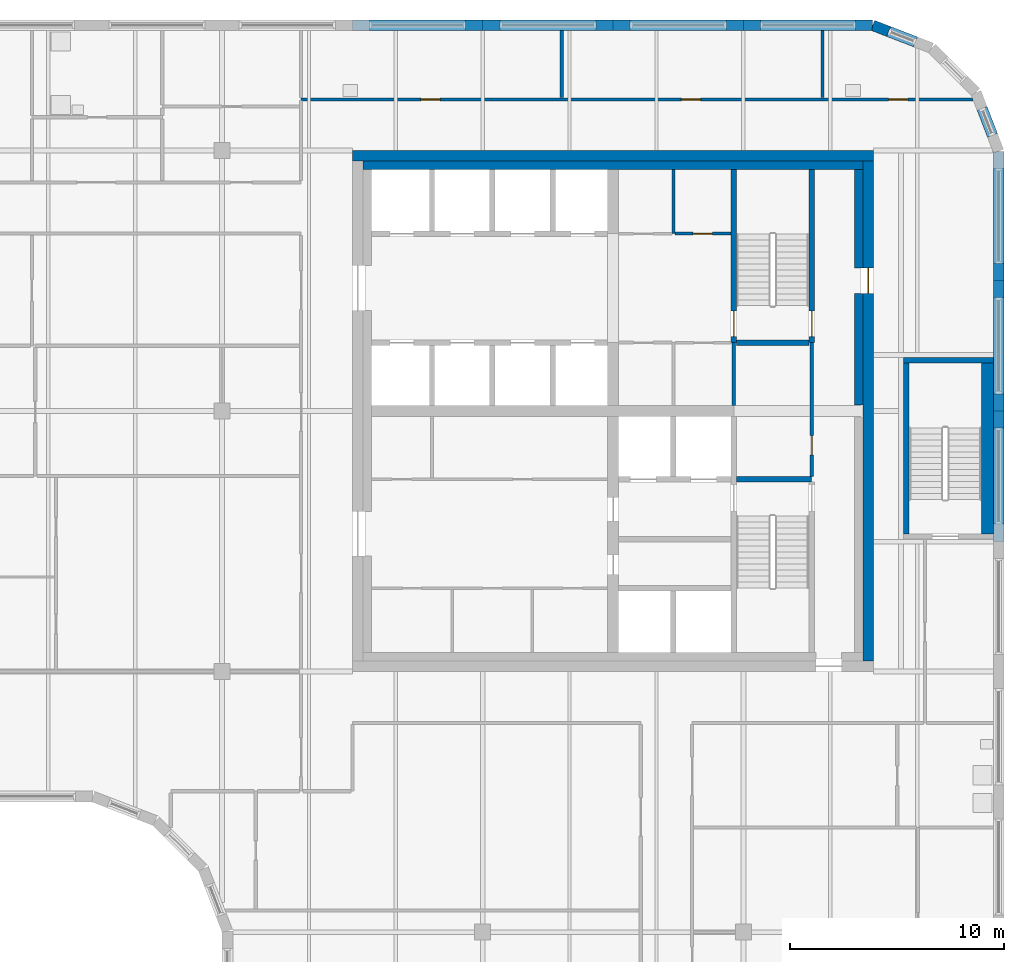
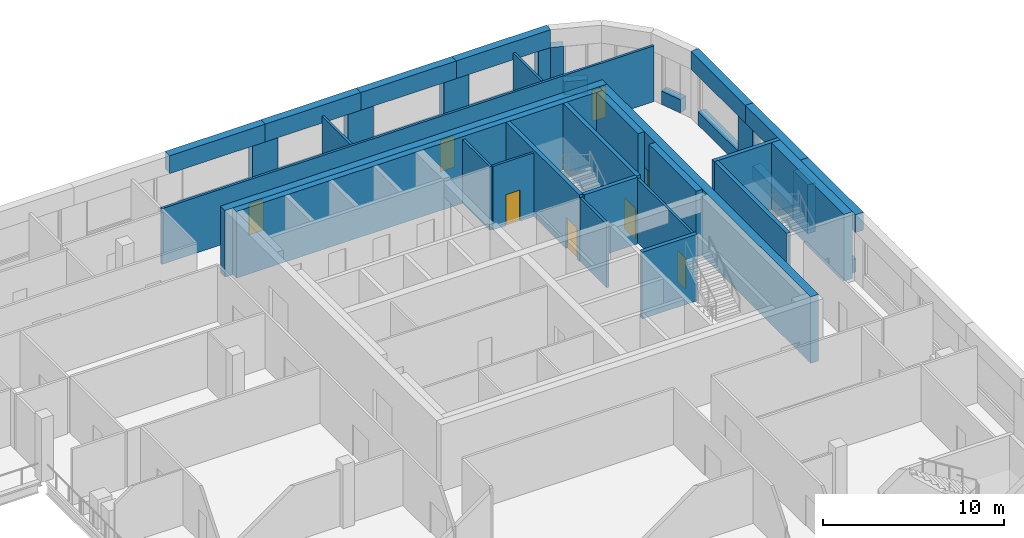
# One storey, part 16 of 21: 42 walls, 8 doors, 8 openings.
"""IFC4 building model written with IfcOpenShell, lengths in metres."""

from ifc_helpers import new_model, si_unit, direction, frame, frame_2d, origin, place, context, subcontext, project, spatial, polyline, rectangle, outline, extrude, faceted_brep, source, transform, mapped, material, layer, layer_set, type_object, element, fill, save


model = new_model("IFC4")

# Units and contexts
model_context = context("Model", 3, precision=1e-05, world=origin(), true_north=direction((0.0, 1.0)))
body_context = subcontext(model_context, "Body", "Model", "MODEL_VIEW")
ifc_project = project(units=[si_unit("LENGTHUNIT", "METRE"), si_unit("AREAUNIT", "SQUARE_METRE"), si_unit("VOLUMEUNIT", "CUBIC_METRE"), si_unit("PLANEANGLEUNIT", "RADIAN"), si_unit("MASSUNIT", "GRAM", prefix="KILO")], contexts=[model_context])

# Site, building, storey
site_placement = place(None, origin())
site = spatial("IfcSite", under=ifc_project, at=site_placement, CompositionType="ELEMENT")
building_placement = place(site_placement, origin())
building = spatial("IfcBuilding", under=site, at=building_placement, Name="Tessera Gate Towers", CompositionType="ELEMENT")
storey_placement = place(building_placement, frame((0.0, 0.0, 193.39990234375)))
storey = spatial("IfcBuildingStorey", under=building, at=storey_placement, Name="L48", CompositionType="ELEMENT", Elevation=193.39990234375)

# Wall
ifc_material_1 = material(Name="Concrete C40/50", Category="concrete")
ifc_layer_1 = layer(ifc_material_1, 0.25)
ifc_layer_set_1 = layer_set([ifc_layer_1], Name="CORE ENCLOSURE WALL 250")
wall_type_1 = type_object("IfcWallType", Name="CORE ENCLOSURE WALL 250", PredefinedType="SOLIDWALL", material=ifc_layer_set_1)
wall_1_placement = place(storey_placement, frame((48.47509765625, 33.39990234375, 0.0), z_axis=(0.0, 0.0, 1.0), x_axis=(1.0, 0.0, 0.0)))
element("IfcWall", 1, at=wall_1_placement, inside=storey, type_object=wall_type_1, Name="L48 shaft and stair enclosure wall", PredefinedType="SOLIDWALL", context=body_context, shape_type="SweptSolid", body=[
    extrude(rectangle(XDim=3.52490234375, YDim=0.25, at=frame_2d((1.762451171875, 0.0))), origin(), (0.0, 0.0, 1.0), 4.5),
])

# Wall, opening, door
wall_2_placement = place(storey_placement, frame((48.35009765625, 47.89990234375, 0.0), z_axis=(0.0, 0.0, 1.0), x_axis=(0.0, -1.0, 0.0)))
wall_2 = element("IfcWall", 2, at=wall_2_placement, inside=storey, type_object=wall_type_1, Name="L48 shaft and stair enclosure wall", PredefinedType="SOLIDWALL", context=body_context, shape_type="SweptSolid", body=[
    extrude(rectangle(XDim=8.099853515625, YDim=0.25, at=frame_2d((4.0498046875, 0.0))), origin(), (0.0, 0.0, 1.0), 4.5),
])
shared_shape_1 = source(origin(), body_context, "Body", "SweptSolid", [
    extrude(rectangle(XDim=1.199951171875, YDim=2.10009765625, at=frame_2d((0.60009765625, 1.050048828125))), frame((0.0, 0.135009765625, 0.0), z_axis=(0.0, -1.0, 0.0), x_axis=(1.0, 0.0, 0.0)), (0.0, 0.0, 1.0), 0.27001953125),
])
opening_1_placement = place(wall_2_placement, frame((6.625, 0.0, 0.0)))
opening_1 = element("IfcOpeningElement", 3, at=opening_1_placement, cuts=wall_2, Name="Opening SD-ST2-1", PredefinedType="OPENING", context=body_context, shape_type="MappedRepresentation", body=[
    mapped(shared_shape_1, transform((0.0, 0.0, 0.0), scale=1.0)),
])
ifc_material_2 = material(Name="Hollow steel fire door", Category="steel")
door_type_1 = type_object("IfcDoorType", Name="CORE DOOR SD 1200x2100", OperationType="NOTDEFINED", PredefinedType="DOOR", material=ifc_material_2)
shared_shape_2 = source(origin(), body_context, "Body", "SweptSolid", [
    extrude(rectangle(XDim=1.199951171875, YDim=2.10009765625, at=frame_2d((0.60009765625, 1.050048828125))), frame((0.0, 0.02490234375, 0.0), z_axis=(0.0, -1.0, 0.0), x_axis=(1.0, 0.0, 0.0)), (0.0, 0.0, 1.0), 0.050048828125),
])
door_1_placement = place(opening_1_placement, origin())
door_1 = element("IfcDoor", 4, at=door_1_placement, inside=storey, type_object=door_type_1, Name="Stair door", OperationType="SINGLE_SWING_RIGHT", OverallHeight=2.10009765625, OverallWidth=1.199951171875, PredefinedType="DOOR", context=body_context, shape_type="MappedRepresentation", body=[
    mapped(shared_shape_2, transform((0.0, 0.0, 0.0), scale=1.0)),
])
fill(opening_1, door_1)

wall_3_placement = place(storey_placement, frame((52.0, 39.800048828125, 0.0), z_axis=(0.0, 0.0, 1.0), x_axis=(0.0, 1.0, 0.0)))
wall_3 = element("IfcWall", 5, at=wall_3_placement, inside=storey, type_object=wall_type_1, Name="L48 shaft and stair enclosure wall", PredefinedType="SOLIDWALL", context=body_context, shape_type="SweptSolid", body=[
    extrude(rectangle(XDim=8.099853515625, YDim=0.25, at=frame_2d((4.0498046875, 0.0))), origin(), (0.0, 0.0, 1.0), 4.5),
])
opening_2_placement = place(wall_3_placement, frame((0.27490234375, 0.0, 0.0)))
opening_2 = element("IfcOpeningElement", 6, at=opening_2_placement, cuts=wall_3, Name="Opening SD-ST2-2", PredefinedType="OPENING", context=body_context, shape_type="MappedRepresentation", body=[
    mapped(shared_shape_1, transform((0.0, 0.0, 0.0), scale=1.0)),
])
door_2_placement = place(opening_2_placement, origin())
door_2 = element("IfcDoor", 7, at=door_2_placement, inside=storey, type_object=door_type_1, Name="Stair door", OperationType="SINGLE_SWING_LEFT", OverallHeight=2.10009765625, OverallWidth=1.199951171875, PredefinedType="DOOR", context=body_context, shape_type="MappedRepresentation", body=[
    mapped(shared_shape_2, transform((0.0, 0.0, 0.0), scale=1.0)),
])
fill(opening_2, door_2)

# Walls
wall_4_placement = place(storey_placement, frame((48.47509765625, 39.800048828125, 0.0), z_axis=(0.0, 0.0, 1.0), x_axis=(1.0, 0.0, 0.0)))
element("IfcWall", 8, at=wall_4_placement, inside=storey, type_object=wall_type_1, Name="L48 shaft and stair enclosure wall", PredefinedType="SOLIDWALL", context=body_context, shape_type="SweptSolid", body=[
    extrude(rectangle(XDim=3.39990234375, YDim=0.25, at=frame_2d((1.699951171875, 0.0))), origin(), (0.0, 0.0, 1.0), 4.5),
])
wall_5_placement = place(storey_placement, frame((56.425048828125, 30.85009765625, 0.0), z_axis=(0.0, 0.0, 1.0), x_axis=(0.0, 1.0, 0.0)))
element("IfcWall", 9, at=wall_5_placement, inside=storey, type_object=wall_type_1, Name="L48 ST5 enclosure wall", PredefinedType="SOLIDWALL", context=body_context, shape_type="SweptSolid", body=[
    extrude(rectangle(XDim=8.0, YDim=0.25, at=frame_2d((4.0, 0.0))), origin(), (0.0, 0.0, 1.0), 4.5),
])
wall_6_placement = place(storey_placement, frame((56.300048828125, 38.97509765625, 0.0), z_axis=(0.0, 0.0, 1.0), x_axis=(1.0, 0.0, 0.0)))
element("IfcWall", 10, at=wall_6_placement, inside=storey, type_object=wall_type_1, Name="L48 ST5 enclosure wall", PredefinedType="SOLIDWALL", context=body_context, shape_type="SweptSolid", body=[
    extrude(rectangle(XDim=4.199951171875, YDim=0.25, at=frame_2d((2.10009765625, 0.0))), origin(), (0.0, 0.0, 1.0), 4.5),
])
ifc_material_3 = material(Name="Concrete C40/50", Category="concrete")
ifc_layer_2 = layer(ifc_material_3, 0.550048828125)
ifc_layer_set_2 = layer_set([ifc_layer_2], Name="CORE ENCLOSURE WALL 550")
wall_type_2 = type_object("IfcWallType", Name="CORE ENCLOSURE WALL 550", PredefinedType="SOLIDWALL", material=ifc_layer_set_2)
wall_7_placement = place(storey_placement, frame((60.22509765625, 38.85009765625, 0.0), z_axis=(0.0, 0.0, 1.0), x_axis=(0.0, -1.0, 0.0)))
element("IfcWall", 11, at=wall_7_placement, inside=storey, type_object=wall_type_2, Name="L48 ST5 enclosure wall", PredefinedType="SOLIDWALL", context=body_context, shape_type="SweptSolid", body=[
    extrude(rectangle(XDim=8.0, YDim=0.550048828125, at=frame_2d((4.0, 0.0))), origin(), (0.0, 0.0, 1.0), 4.5),
])
ifc_material_4 = material(Name="Concrete C50/60", Category="concrete")
ifc_layer_3 = layer(ifc_material_4, 0.5)
ifc_layer_set_3 = layer_set([ifc_layer_3], Name="CORE SHEAR WALL 500 C50/60")
wall_type_3 = type_object("IfcWallType", Name="CORE SHEAR WALL 500 C50/60", PredefinedType="SHEAR", material=ifc_layer_set_3)
wall_8_placement = place(storey_placement, frame((30.5, 48.550048828125, 0.0), z_axis=(0.0, 0.0, 1.0), x_axis=(1.0, 0.0, 0.0)))
element("IfcWall", 12, at=wall_8_placement, inside=storey, type_object=wall_type_3, Name="Core wall N L48", PredefinedType="SHEAR", context=body_context, shape_type="SweptSolid", body=[
    extrude(rectangle(XDim=24.39990234375, YDim=0.5, at=frame_2d((12.199951171875, 0.0))), origin(), (0.0, 0.0, 1.0), 4.5),
])

# Wall, opening, door
wall_9_placement = place(storey_placement, frame((54.64990234375, 48.300048828125, 0.0), z_axis=(0.0, 0.0, 1.0), x_axis=(0.0, -1.0, 0.0)))
wall_9 = element("IfcWall", 13, at=wall_9_placement, inside=storey, type_object=wall_type_3, Name="Core wall E L48", PredefinedType="SHEAR", context=body_context, shape_type="SweptSolid", body=[
    extrude(rectangle(XDim=23.400146484375, YDim=0.5, at=frame_2d((11.7001953125, 0.0))), origin(), (0.0, 0.0, 1.0), 4.5),
])
shared_shape_3 = source(origin(), body_context, "Body", "SweptSolid", [
    extrude(rectangle(XDim=1.199951171875, YDim=2.10009765625, at=frame_2d((0.60009765625, 1.050048828125))), frame((0.0, 0.260009765625, 0.0), z_axis=(0.0, -1.0, 0.0), x_axis=(1.0, 0.0, 0.0)), (0.0, 0.0, 1.0), 0.52001953125),
])
opening_3_placement = place(wall_9_placement, frame((5.0, 0.0, 0.0)))
opening_3 = element("IfcOpeningElement", 14, at=opening_3_placement, cuts=wall_9, Name="Opening ED-T1-30-04", PredefinedType="OPENING", context=body_context, shape_type="MappedRepresentation", body=[
    mapped(shared_shape_3, transform((0.0, 0.0, 0.0), scale=1.0)),
])
ifc_material_5 = material(Name="Hollow steel fire door", Category="steel")
door_type_2 = type_object("IfcDoorType", Name="CORE DOOR ED 1200x2100", OperationType="NOTDEFINED", PredefinedType="DOOR", material=ifc_material_5)
door_3_placement = place(opening_3_placement, origin())
door_3 = element("IfcDoor", 15, at=door_3_placement, inside=storey, type_object=door_type_2, Name="Core exit door", OperationType="SINGLE_SWING_LEFT", OverallHeight=2.10009765625, OverallWidth=1.199951171875, PredefinedType="DOOR", context=body_context, shape_type="MappedRepresentation", body=[
    mapped(shared_shape_2, transform((0.0, 0.0, 0.0), scale=1.0)),
])
fill(opening_3, door_3)

# Walls
ifc_material_6 = material(Name="Concrete C50/60", Category="concrete")
ifc_layer_4 = layer(ifc_material_6, 0.39990234375)
ifc_layer_set_4 = layer_set([ifc_layer_4], Name="CORE WALL THICKENING 400")
wall_type_4 = type_object("IfcWallType", Name="CORE WALL THICKENING 400", PredefinedType="SOLIDWALL", material=ifc_layer_set_4)
wall_10_placement = place(storey_placement, frame((31.0, 48.10009765625, 0.0), z_axis=(0.0, 0.0, 1.0), x_axis=(1.0, 0.0, 0.0)))
element("IfcWall", 16, at=wall_10_placement, inside=storey, type_object=wall_type_4, Name="Core wall thickening N L48", PredefinedType="SOLIDWALL", context=body_context, shape_type="SweptSolid", body=[
    extrude(rectangle(XDim=23.39990234375, YDim=0.39990234375, at=frame_2d((11.699951171875, 0.0))), origin(), (0.0, 0.0, 1.0), 4.5),
])
wall_11_placement = place(storey_placement, frame((54.199951171875, 36.8798828125, 0.0), z_axis=(0.0, 0.0, 1.0), x_axis=(0.0, 1.0, 0.0)))
element("IfcWall", 17, at=wall_11_placement, inside=storey, type_object=wall_type_4, Name="Core wall thickening E L48", PredefinedType="SOLIDWALL", context=body_context, shape_type="SweptSolid", body=[
    extrude(rectangle(XDim=5.22021484375, YDim=0.39990234375, at=frame_2d((2.610107421875, 0.0))), origin(), (0.0, 0.0, 1.0), 4.5),
])
wall_12_placement = place(storey_placement, frame((54.199951171875, 43.300048828125, 0.0), z_axis=(0.0, 0.0, 1.0), x_axis=(0.0, 1.0, 0.0)))
element("IfcWall", 18, at=wall_12_placement, inside=storey, type_object=wall_type_4, Name="Core wall thickening E L48", PredefinedType="SOLIDWALL", context=body_context, shape_type="SweptSolid", body=[
    extrude(rectangle(XDim=4.599853515625, YDim=0.39990234375, at=frame_2d((2.2998046875, 0.0))), origin(), (0.0, 0.0, 1.0), 4.5),
])

# Wall, openings, doors
ifc_material_7 = material(Name="Gypsum board on steel studs, mineral wool", Category="steel")
ifc_layer_5 = layer(ifc_material_7, 0.14990234375)
ifc_layer_set_5 = layer_set([ifc_layer_5], Name="CORRIDOR WALL 150")
wall_type_5 = type_object("IfcWallType", Name="CORRIDOR WALL 150", PredefinedType="PARTITIONING", material=ifc_layer_set_5)
wall_13_placement = place(storey_placement, frame((28.10009765625, 51.179931640625, 0.0), z_axis=(0.0, 0.0, 1.0), x_axis=(1.0, 0.0, 0.0)))
wall_13 = element("IfcWall", 19, at=wall_13_placement, inside=storey, type_object=wall_type_5, Name="T1-L48-PW-049", PredefinedType="PARTITIONING", context=body_context, shape_type="SweptSolid", body=[
    extrude(rectangle(XDim=31.438232421875, YDim=0.14990234375, at=frame_2d((15.71923828125, 0.0))), origin(), (0.0, 0.0, 1.0), 3.76708984375),
])
shared_shape_4 = source(origin(), body_context, "Body", "SweptSolid", [
    extrude(rectangle(XDim=0.89990234375, YDim=2.10009765625, at=frame_2d((0.449951171875, 1.050048828125))), frame((0.0, 0.0849609375, 0.0), z_axis=(0.0, -1.0, 0.0), x_axis=(1.0, 0.0, 0.0)), (0.0, 0.0, 1.0), 0.169921875),
])
opening_4_placement = place(wall_13_placement, frame((27.5009765625, 0.0, 0.0)))
opening_4 = element("IfcOpeningElement", 20, at=opening_4_placement, cuts=wall_13, Name="Opening D890FD60-A35-02", PredefinedType="OPENING", context=body_context, shape_type="MappedRepresentation", body=[
    mapped(shared_shape_4, transform((0.0, 0.0, 0.0), scale=1.0)),
])
opening_5_placement = place(wall_13_placement, frame((5.60009765625, 0.0, 0.0)))
opening_5 = element("IfcOpeningElement", 21, at=opening_5_placement, cuts=wall_13, Name="Opening D890FD60-A35-04", PredefinedType="OPENING", context=body_context, shape_type="MappedRepresentation", body=[
    mapped(shared_shape_4, transform((0.0, 0.0, 0.0), scale=1.0)),
])
opening_6_placement = place(wall_13_placement, frame((17.800048828125, 0.0, 0.0)))
opening_6 = element("IfcOpeningElement", 22, at=opening_6_placement, cuts=wall_13, Name="Opening D890FD60-A35-05", PredefinedType="OPENING", context=body_context, shape_type="MappedRepresentation", body=[
    mapped(shared_shape_4, transform((0.0, 0.0, 0.0), scale=1.0)),
])
ifc_material_8 = material(Name="Timber door leaf in steel frame", Category="steel")
door_type_3 = type_object("IfcDoorType", Name="CORRIDOR DOOR 900 FD60", OperationType="NOTDEFINED", PredefinedType="DOOR", material=ifc_material_8)
shared_shape_5 = source(origin(), body_context, "Body", "SweptSolid", [
    extrude(rectangle(XDim=0.89990234375, YDim=2.10009765625, at=frame_2d((0.449951171875, 1.050048828125))), frame((0.0, 0.02490234375, 0.0), z_axis=(0.0, -1.0, 0.0), x_axis=(1.0, 0.0, 0.0)), (0.0, 0.0, 1.0), 0.050048828125),
])
door_4_placement = place(opening_4_placement, origin())
door_4 = element("IfcDoor", 23, at=door_4_placement, inside=storey, type_object=door_type_3, Name="T1-L48-PD-019", OperationType="SINGLE_SWING_LEFT", OverallHeight=2.10009765625, OverallWidth=0.89990234375, PredefinedType="DOOR", context=body_context, shape_type="MappedRepresentation", body=[
    mapped(shared_shape_5, transform((0.0, 0.0, 0.0), scale=1.0)),
])
fill(opening_4, door_4)
door_5_placement = place(opening_5_placement, origin())
door_5 = element("IfcDoor", 24, at=door_5_placement, inside=storey, type_object=door_type_3, Name="T1-L48-PD-025", OperationType="SINGLE_SWING_LEFT", OverallHeight=2.10009765625, OverallWidth=0.89990234375, PredefinedType="DOOR", context=body_context, shape_type="MappedRepresentation", body=[
    mapped(shared_shape_5, transform((0.0, 0.0, 0.0), scale=1.0)),
])
fill(opening_5, door_5)
door_6_placement = place(opening_6_placement, origin())
door_6 = element("IfcDoor", 25, at=door_6_placement, inside=storey, type_object=door_type_3, Name="T1-L48-PD-026", OperationType="SINGLE_SWING_LEFT", OverallHeight=2.10009765625, OverallWidth=0.89990234375, PredefinedType="DOOR", context=body_context, shape_type="MappedRepresentation", body=[
    mapped(shared_shape_5, transform((0.0, 0.0, 0.0), scale=1.0)),
])
fill(opening_6, door_6)

# Wall, opening, door
ifc_material_9 = material(Name="Gypsum board on steel studs", Category="steel")
ifc_layer_6 = layer(ifc_material_9, 0.14990234375)
ifc_layer_set_6 = layer_set([ifc_layer_6], Name="SERVICE ROOM WALL 150")
wall_type_6 = type_object("IfcWallType", Name="SERVICE ROOM WALL 150", PredefinedType="PARTITIONING", material=ifc_layer_set_6)
wall_14_placement = place(storey_placement, frame((52.0, 33.52490234375, 0.0), z_axis=(0.0, 0.0, 1.0), x_axis=(0.0, 1.0, 0.0)))
wall_14 = element("IfcWall", 26, at=wall_14_placement, inside=storey, type_object=wall_type_6, Name="L48 service room wall", PredefinedType="PARTITIONING", context=body_context, shape_type="SweptSolid", body=[
    extrude(rectangle(XDim=6.275146484375, YDim=0.14990234375, at=frame_2d((3.1376953125, 0.0))), origin(), (0.0, 0.0, 1.0), 4.300048828125),
])
opening_7_placement = place(wall_14_placement, frame((1.02490234375, 0.0, 0.0)))
opening_7 = element("IfcOpeningElement", 27, at=opening_7_placement, cuts=wall_14, Name="Opening RD-T1-30-12", PredefinedType="OPENING", context=body_context, shape_type="MappedRepresentation", body=[
    mapped(shared_shape_4, transform((0.0, 0.0, 0.0), scale=1.0)),
])
ifc_material_10 = material(Name="Hollow steel fire door", Category="steel")
door_type_4 = type_object("IfcDoorType", Name="CORE DOOR RD 900x2100", OperationType="NOTDEFINED", PredefinedType="DOOR", material=ifc_material_10)
door_7_placement = place(opening_7_placement, origin())
door_7 = element("IfcDoor", 28, at=door_7_placement, inside=storey, type_object=door_type_4, Name="Core room door", OperationType="SINGLE_SWING_LEFT", OverallHeight=2.10009765625, OverallWidth=0.89990234375, PredefinedType="DOOR", context=body_context, shape_type="MappedRepresentation", body=[
    mapped(shared_shape_5, transform((0.0, 0.0, 0.0), scale=1.0)),
])
fill(opening_7, door_7)

# Walls
wall_15_placement = place(storey_placement, frame((48.35009765625, 36.85009765625, 0.0), z_axis=(0.0, 0.0, 1.0), x_axis=(0.0, 1.0, 0.0)))
element("IfcWall", 29, at=wall_15_placement, inside=storey, type_object=wall_type_6, Name="L48 service room wall", PredefinedType="PARTITIONING", context=body_context, shape_type="SweptSolid", body=[
    extrude(rectangle(XDim=2.949951171875, YDim=0.14990234375, at=frame_2d((1.47509765625, 0.0))), origin(), (0.0, 0.0, 1.0), 4.300048828125),
])
wall_16_placement = place(storey_placement, frame((45.52490234375, 44.89990234375, 0.0), z_axis=(0.0, 0.0, 1.0), x_axis=(0.0, 1.0, 0.0)))
element("IfcWall", 30, at=wall_16_placement, inside=storey, type_object=wall_type_6, Name="L48 service room wall", PredefinedType="PARTITIONING", context=body_context, shape_type="SweptSolid", body=[
    extrude(rectangle(XDim=3.0, YDim=0.14990234375, at=frame_2d((1.5, 0.0))), origin(), (0.0, 0.0, 1.0), 4.300048828125),
])

# Wall, opening, door
wall_17_placement = place(storey_placement, frame((45.60009765625, 44.89990234375, 0.0), z_axis=(0.0, 0.0, 1.0), x_axis=(1.0, 0.0, 0.0)))
wall_17 = element("IfcWall", 31, at=wall_17_placement, inside=storey, type_object=wall_type_6, Name="L48 service room wall", PredefinedType="PARTITIONING", context=body_context, shape_type="SweptSolid", body=[
    extrude(rectangle(XDim=2.625, YDim=0.14990234375, at=frame_2d((1.3125, 0.0))), origin(), (0.0, 0.0, 1.0), 4.300048828125),
])
opening_8_placement = place(wall_17_placement, frame((0.85009765625, 0.0, 0.0)))
opening_8 = element("IfcOpeningElement", 32, at=opening_8_placement, cuts=wall_17, Name="Opening RD-T1-30-16", PredefinedType="OPENING", context=body_context, shape_type="MappedRepresentation", body=[
    mapped(shared_shape_4, transform((0.0, 0.0, 0.0), scale=1.0)),
])
door_8_placement = place(opening_8_placement, origin())
door_8 = element("IfcDoor", 33, at=door_8_placement, inside=storey, type_object=door_type_4, Name="Core room door", OperationType="SINGLE_SWING_LEFT", OverallHeight=2.10009765625, OverallWidth=0.89990234375, PredefinedType="DOOR", context=body_context, shape_type="MappedRepresentation", body=[
    mapped(shared_shape_5, transform((0.0, 0.0, 0.0), scale=1.0)),
])
fill(opening_8, door_8)

# Walls
ifc_material_11 = material(Name="Gypsum board on steel studs, mineral wool", Category="steel")
ifc_layer_7 = layer(ifc_material_11, 0.14990234375)
ifc_layer_set_7 = layer_set([ifc_layer_7], Name="TENANCY WALL 150")
wall_type_7 = type_object("IfcWallType", Name="TENANCY WALL 150", PredefinedType="PARTITIONING", material=ifc_layer_set_7)
for number, where, z_axis, x_axis, name in (
    (34, (40.300048828125, 51.27587890625, 0.0), (0.0, 0.0, 1.0), (0.0, 1.0, 0.0), "T1-L48-PW-051"),
    (35, (52.5, 51.27587890625, 0.0), (0.0, 0.0, 1.0), (0.0, 1.0, 0.0), "T1-L48-PW-052"),
):
    element("IfcWall", number, at=place(storey_placement, frame(where, z_axis=z_axis, x_axis=x_axis)), inside=storey, type_object=wall_type_7, Name=name, PredefinedType="PARTITIONING", context=body_context, shape_type="SweptSolid", body=[
        extrude(rectangle(XDim=3.1240234375, YDim=0.14990234375, at=frame_2d((1.56201171875, 0.0))), origin(), (0.0, 0.0, 1.0), 3.76708984375),
    ])
ifc_material_12 = material(Name="Precast concrete C60/75 white", Category="concrete")
ifc_layer_8 = layer(ifc_material_12, 0.5)
ifc_layer_set_8 = layer_set([ifc_layer_8], Name="RB1 ring band panel")
wall_type_8 = type_object("IfcWallType", Name="RB1 ring band panel", PredefinedType="SOLIDWALL", material=ifc_layer_set_8)
shared_shape_6 = source(origin(), body_context, "Body", "Brep", [
    faceted_brep([(0.0, -0.25, 0.0), (0.800048828125, -0.25, 0.0), (0.800048828125, -0.25, 3.300048828125), (0.0, -0.25, 3.300048828125), (0.046630859375, 0.25, 3.300048828125), (0.800048828125, 0.25, 3.300048828125), (0.800048828125, 0.25, 0.0), (0.046630859375, 0.25, 0.0), (0.0, 0.0, 0.0), (0.0, 0.0, 3.300048828125)], [[[0, 1, 2, 3]], [[4, 5, 6, 7]], [[7, 6, 1, 0, 8]], [[5, 4, 9, 3, 2]], [[8, 0, 3, 9]], [[7, 8, 9, 4]], [[1, 6, 5, 2]]]),
])
wall_18_placement = place(storey_placement, frame((54.853515625, 54.64990234375, 0.0), z_axis=(0.0, 0.0, 1.0), x_axis=(-1.0, 0.0, 0.0)))
element("IfcWall", 36, at=wall_18_placement, inside=storey, type_object=wall_type_8, Name="Ring band panel T1 RB1-0314", PredefinedType="SOLIDWALL", context=body_context, shape_type="MappedRepresentation", body=[
    mapped(shared_shape_6, transform((0.0, 0.0, 0.0), scale=1.0)),
])
shared_shape_7 = source(origin(), body_context, "Body", "Brep", [
    faceted_brep([(0.0, -0.25, 0.0), (1.599853515625, -0.25, 0.0), (1.599853515625, -0.25, 3.300048828125), (0.0, -0.25, 3.300048828125), (0.0, 0.25, 3.300048828125), (1.599853515625, 0.25, 3.300048828125), (1.599853515625, 0.25, 0.0), (0.0, 0.25, 0.0)], [[[0, 1, 2, 3]], [[4, 5, 6, 7]], [[7, 6, 1, 0]], [[5, 4, 3, 2]], [[4, 7, 0, 3]], [[1, 6, 5, 2]]]),
])
for number, where, z_axis, x_axis, name in (
    (37, (60.75, 35.800048828125, 0.0), (0.0, 0.0, 1.0), (0.0, 1.0, 0.0), "Ring band panel T1 RB1-0285"),
    (38, (37.39990234375, 54.64990234375, 0.0), (0.0, 0.0, 1.0), (-1.0, 0.0, 0.0), "Ring band panel T1 RB1-0317"),
):
    element("IfcWall", number, at=place(storey_placement, frame(where, z_axis=z_axis, x_axis=x_axis)), inside=storey, type_object=wall_type_8, Name=name, PredefinedType="SOLIDWALL", context=body_context, shape_type="MappedRepresentation", body=[
        mapped(shared_shape_7, transform((0.0, 0.0, 0.0), scale=1.0)),
    ])
shared_shape_8 = source(origin(), body_context, "Body", "SweptSolid", [
    extrude(outline(polyline([(0.0, 0.0), (1.60009765625, 0.0), (1.60009765625, 3.300048828125), (0.0, 3.300048828125), (0.0, 0.0)])), frame((0.0, 0.25, 0.0), z_axis=(0.0, -1.0, 0.0), x_axis=(1.0, 0.0, 0.0)), (0.0, 0.0, 1.0), 0.5),
])
for number, where, z_axis, x_axis, name in (
    (39, (60.75, 41.89990234375, 0.0), (0.0, 0.0, 1.0), (0.0, 1.0, 0.0), "Ring band panel T1 RB1-0286"),
    (40, (49.60009765625, 54.64990234375, 0.0), (0.0, 0.0, 1.0), (-1.0, 0.0, 0.0), "Ring band panel T1 RB1-0315"),
    (41, (43.5, 54.64990234375, 0.0), (0.0, 0.0, 1.0), (-1.0, 0.0, 0.0), "Ring band panel T1 RB1-0316"),
):
    element("IfcWall", number, at=place(storey_placement, frame(where, z_axis=z_axis, x_axis=x_axis)), inside=storey, type_object=wall_type_8, Name=name, PredefinedType="SOLIDWALL", context=body_context, shape_type="MappedRepresentation", body=[
        mapped(shared_shape_8, transform((0.0, 0.0, 0.0), scale=1.0)),
    ])
shared_shape_9 = source(origin(), body_context, "Body", "SweptSolid", [
    extrude(outline(polyline([(0.0, 0.0), (4.453369140625, 0.0), (4.453369140625, 0.900146484375), (0.0, 0.900146484375), (0.0, 0.0)])), frame((0.0, 0.25, 0.0), z_axis=(0.0, -1.0, 0.0), x_axis=(1.0, 0.0, 0.0)), (0.0, 0.0, 1.0), 0.5),
])
for number, where, z_axis, x_axis, name in (
    (42, (60.75, 43.5, 0.0), (0.0, 0.0, 1.0), (0.0, 1.0, 0.0), "Ring band panel T1 RB1-0300"),
    (43, (54.053466796875, 54.64990234375, 0.0), (0.0, 0.0, 1.0), (-1.0, 0.0, 0.0), "Ring band panel T1 RB1-0323"),
):
    element("IfcWall", number, at=place(storey_placement, frame(where, z_axis=z_axis, x_axis=x_axis)), inside=storey, type_object=wall_type_8, Name=name, PredefinedType="SOLIDWALL", context=body_context, shape_type="MappedRepresentation", body=[
        mapped(shared_shape_9, transform((0.0, 0.0, 0.0), scale=1.0)),
    ])
shared_shape_10 = source(origin(), body_context, "Body", "Brep", [
    faceted_brep([(0.0, -0.25, 0.0), (6.053466796875, -0.25, 0.0), (6.053466796875, -0.25, 1.199951171875), (0.0, -0.25, 1.199951171875), (0.046630859375, 0.25, 1.199951171875), (6.053466796875, 0.25, 1.199951171875), (6.053466796875, 0.25, 0.0), (0.046630859375, 0.25, 0.0), (0.0, 0.0, 0.0), (0.0, 0.0, 1.199951171875)], [[[0, 1, 2, 3]], [[4, 5, 6, 7]], [[7, 6, 1, 0, 8]], [[5, 4, 9, 3, 2]], [[8, 0, 3, 9]], [[7, 8, 9, 4]], [[1, 6, 5, 2]]]),
])
wall_19_placement = place(storey_placement, frame((54.853515625, 54.64990234375, 3.300048828125), z_axis=(0.0, 0.0, 1.0), x_axis=(-1.0, 0.0, 0.0)))
element("IfcWall", 44, at=wall_19_placement, inside=storey, type_object=wall_type_8, Name="Ring band panel T1 RB1-0324", PredefinedType="SOLIDWALL", context=body_context, shape_type="MappedRepresentation", body=[
    mapped(shared_shape_10, transform((0.0, 0.0, 0.0), scale=1.0)),
])
shared_shape_11 = source(origin(), body_context, "Body", "SweptSolid", [
    extrude(outline(polyline([(0.0, 0.0), (4.5, 0.0), (4.5, 0.900146484375), (0.0, 0.900146484375), (0.0, 0.0)])), frame((0.0, 0.25, 0.0), z_axis=(0.0, -1.0, 0.0), x_axis=(1.0, 0.0, 0.0)), (0.0, 0.0, 1.0), 0.5),
])
for number, where, z_axis, x_axis, name in (
    (45, (60.75, 31.300048828125, 0.0), (0.0, 0.0, 1.0), (0.0, 1.0, 0.0), "Ring band panel T1 RB1-0296"),
    (46, (60.75, 37.39990234375, 0.0), (0.0, 0.0, 1.0), (0.0, 1.0, 0.0), "Ring band panel T1 RB1-0298"),
    (47, (48.0, 54.64990234375, 0.0), (0.0, 0.0, 1.0), (-1.0, 0.0, 0.0), "Ring band panel T1 RB1-0325"),
    (48, (41.89990234375, 54.64990234375, 0.0), (0.0, 0.0, 1.0), (-1.0, 0.0, 0.0), "Ring band panel T1 RB1-0327"),
    (49, (35.800048828125, 54.64990234375, 0.0), (0.0, 0.0, 1.0), (-1.0, 0.0, 0.0), "Ring band panel T1 RB1-0329"),
):
    element("IfcWall", number, at=place(storey_placement, frame(where, z_axis=z_axis, x_axis=x_axis)), inside=storey, type_object=wall_type_8, Name=name, PredefinedType="SOLIDWALL", context=body_context, shape_type="MappedRepresentation", body=[
        mapped(shared_shape_11, transform((0.0, 0.0, 0.0), scale=1.0)),
    ])
shared_shape_12 = source(origin(), body_context, "Body", "Brep", [
    faceted_brep([(0.0, -0.25, 0.0), (6.099853515625, -0.25, 0.0), (6.099853515625, -0.25, 1.199951171875), (0.0, -0.25, 1.199951171875), (0.0, 0.25, 1.199951171875), (6.099853515625, 0.25, 1.199951171875), (6.099853515625, 0.25, 0.0), (0.0, 0.25, 0.0)], [[[0, 1, 2, 3]], [[4, 5, 6, 7]], [[7, 6, 1, 0]], [[5, 4, 3, 2]], [[4, 7, 0, 3]], [[1, 6, 5, 2]]]),
])
for number, where, z_axis, x_axis, name in (
    (50, (60.75, 36.60009765625, 3.300048828125), (0.0, 0.0, 1.0), (0.0, 1.0, 0.0), "Ring band panel T1 RB1-0299"),
    (51, (42.699951171875, 54.64990234375, 3.300048828125), (0.0, 0.0, 1.0), (-1.0, 0.0, 0.0), "Ring band panel T1 RB1-0328"),
):
    element("IfcWall", number, at=place(storey_placement, frame(where, z_axis=z_axis, x_axis=x_axis)), inside=storey, type_object=wall_type_8, Name=name, PredefinedType="SOLIDWALL", context=body_context, shape_type="MappedRepresentation", body=[
        mapped(shared_shape_12, transform((0.0, 0.0, 0.0), scale=1.0)),
    ])
shared_shape_13 = source(origin(), body_context, "Body", "SweptSolid", [
    extrude(outline(polyline([(0.0, 0.0), (6.10009765625, 0.0), (6.10009765625, 1.199951171875), (0.0, 1.199951171875), (0.0, 0.0)])), frame((0.0, 0.25, 0.0), z_axis=(0.0, -1.0, 0.0), x_axis=(1.0, 0.0, 0.0)), (0.0, 0.0, 1.0), 0.5),
])
for number, where, z_axis, x_axis, name in (
    (52, (60.75, 30.5, 3.300048828125), (0.0, 0.0, 1.0), (0.0, 1.0, 0.0), "Ring band panel T1 RB1-0297"),
    (53, (48.800048828125, 54.64990234375, 3.300048828125), (0.0, 0.0, 1.0), (-1.0, 0.0, 0.0), "Ring band panel T1 RB1-0326"),
    (54, (36.60009765625, 54.64990234375, 3.300048828125), (0.0, 0.0, 1.0), (-1.0, 0.0, 0.0), "Ring band panel T1 RB1-0330"),
):
    element("IfcWall", number, at=place(storey_placement, frame(where, z_axis=z_axis, x_axis=x_axis)), inside=storey, type_object=wall_type_8, Name=name, PredefinedType="SOLIDWALL", context=body_context, shape_type="MappedRepresentation", body=[
        mapped(shared_shape_13, transform((0.0, 0.0, 0.0), scale=1.0)),
    ])
shared_shape_14 = source(origin(), body_context, "Body", "Brep", [
    faceted_brep([(0.0, -0.25, 0.0), (6.053466796875, -0.25, 0.0), (6.053466796875, -0.25, 1.199951171875), (0.0, -0.25, 1.199951171875), (0.0, 0.25, 1.199951171875), (6.0068359375, 0.25, 1.199951171875), (6.0068359375, 0.25, 0.0), (0.0, 0.25, 0.0), (6.053466796875, 0.0, 0.0), (6.053466796875, 0.0, 1.199951171875)], [[[0, 1, 2, 3]], [[4, 5, 6, 7]], [[7, 6, 8, 1, 0]], [[9, 2, 1, 8]], [[5, 4, 3, 2, 9]], [[4, 7, 0, 3]], [[8, 6, 5, 9]]]),
])
wall_20_placement = place(storey_placement, frame((60.75, 42.699951171875, 3.300048828125), z_axis=(0.0, 0.0, 1.0), x_axis=(0.0, 1.0, 0.0)))
element("IfcWall", 55, at=wall_20_placement, inside=storey, type_object=wall_type_8, Name="Ring band panel T1 RB1-0301", PredefinedType="SOLIDWALL", context=body_context, shape_type="MappedRepresentation", body=[
    mapped(shared_shape_14, transform((0.0, 0.0, 0.0), scale=1.0)),
])
shared_shape_15 = source(origin(), body_context, "Body", "SweptSolid", [
    extrude(outline(polyline([(0.0, 0.0), (1.3505859375, 0.0), (1.3505859375, 0.900146484375), (0.0, 0.900146484375), (0.0, 0.0)])), frame((0.0, 0.25, 0.0), z_axis=(0.0, -1.0, 0.0), x_axis=(1.0, 0.0, 0.0)), (0.0, 0.0, 1.0), 0.5),
])
for number, where, z_axis, x_axis, name in (
    (56, (60.462158203125, 49.499755859375, 0.0), (0.0, 0.0, 1.0), (-0.359923772835, 0.932981713512, 0.0), "Ring band panel T1 RB1-0304"),
    (57, (56.85986328125, 53.8759765625, 0.0), (0.0, 0.0, 1.0), (-0.932981713512, 0.359923772835, 0.0), "Ring band panel T1 RB1-0312"),
):
    element("IfcWall", number, at=place(storey_placement, frame(where, z_axis=z_axis, x_axis=x_axis)), inside=storey, type_object=wall_type_8, Name=name, PredefinedType="SOLIDWALL", context=body_context, shape_type="MappedRepresentation", body=[
        mapped(shared_shape_15, transform((0.0, 0.0, 0.0), scale=1.0)),
    ])
shared_shape_16 = source(origin(), body_context, "Body", "Brep", [
    faceted_brep([(0.0, -0.25, 0.0), (0.800048828125, -0.25, 0.0), (0.800048828125, -0.25, 3.300048828125), (0.0, -0.25, 3.300048828125), (0.0, 0.25, 3.300048828125), (0.75341796875, 0.25, 3.300048828125), (0.75341796875, 0.25, 0.0), (0.0, 0.25, 0.0), (0.800048828125, -0.000244140625, 0.0), (0.800048828125, -0.000244140625, 3.300048828125)], [[[0, 1, 2, 3]], [[4, 5, 6, 7]], [[7, 6, 8, 1, 0]], [[9, 2, 1, 8]], [[5, 4, 3, 2, 9]], [[4, 7, 0, 3]], [[8, 6, 5, 9]]]),
])
wall_21_placement = place(storey_placement, frame((55.599853515625, 54.362060546875, 0.0), z_axis=(0.0, 0.0, 1.0), x_axis=(-0.93301483327, 0.3598379092, 0.0)))
element("IfcWall", 58, at=wall_21_placement, inside=storey, type_object=wall_type_8, Name="Ring band panel T1 RB1-0311", PredefinedType="SOLIDWALL", context=body_context, shape_type="MappedRepresentation", body=[
    mapped(shared_shape_16, transform((0.0, 0.0, 0.0), scale=1.0)),
])

save(model, "model.ifc")
